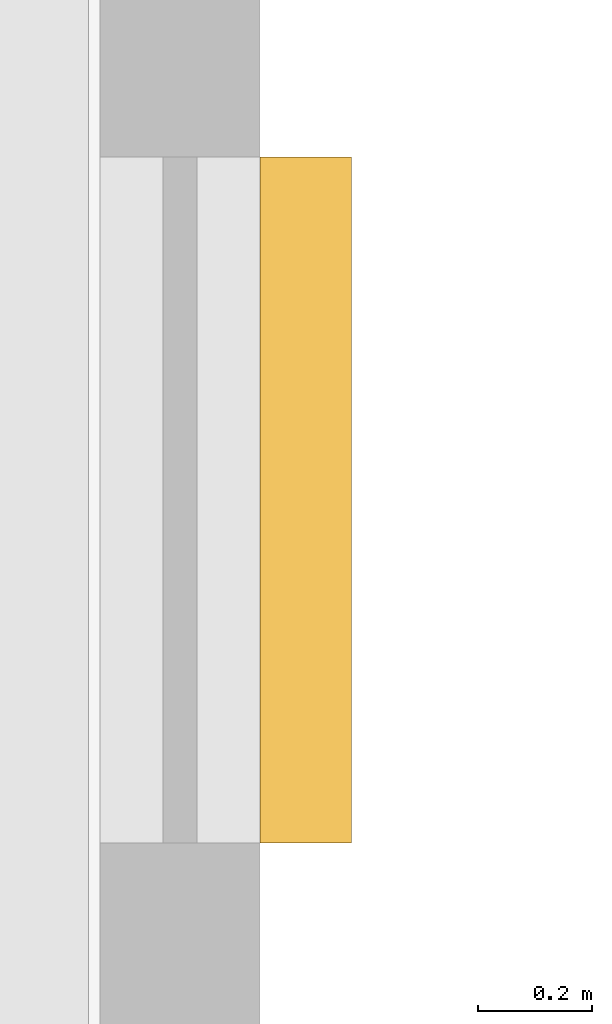
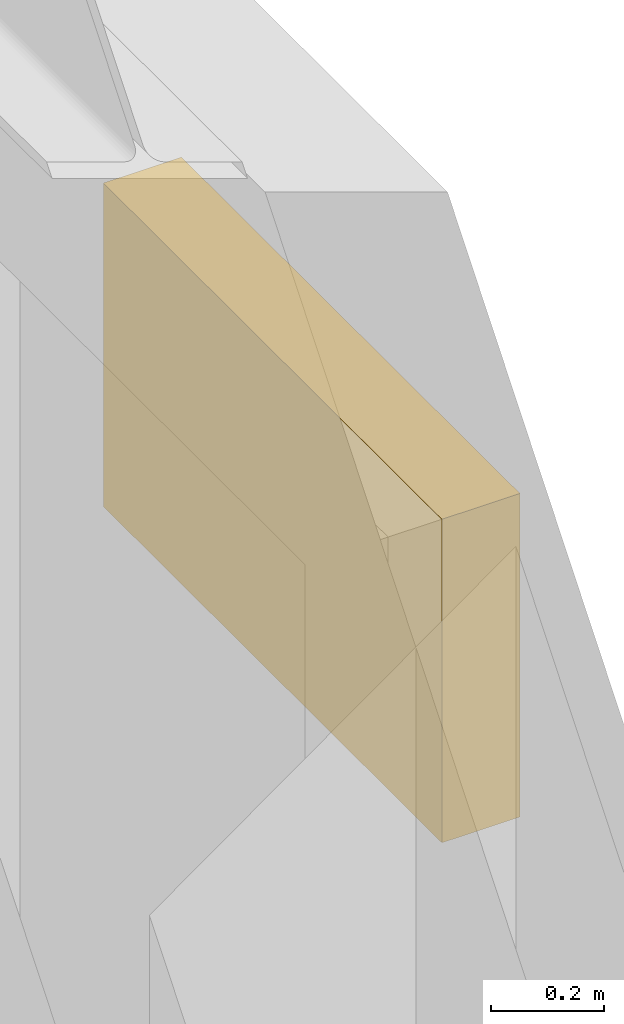
# One storey, part 7 of 7: 1 shading device.
"""IFC4 building model written with IfcOpenShell, lengths in metres."""

import ifcopenshell
import ifcopenshell.guid

model = None  # the IFC model being written
_history = None  # IfcOwnerHistory: only IFC2X3 demands one
_inside = {}  # id of a spatial element -> (the spatial element, [elements in it])
_under = {}  # id of a project, library or spatial element -> (it, [spatial elements below it])
_declared = {}  # id of a project -> (the project, [libraries it declares])
_typed = {}  # id of a type object -> (the type object, [elements of that type])
_made_of = {}  # id of a material, layer set ... -> (it, [elements and type objects made of it])


def new_model(schema):
    """Start an empty IFC model of exactly this schema.

    Asked for "IFC4X3", IfcOpenShell would pick the latest addendum, in which some entities
    have other attributes; the version numbers below select the first issue.
    IFC2X3 requires an IfcOwnerHistory on every rooted entity: one is made here for all.
    """
    global model, _history
    if schema == "IFC4X3":
        model = ifcopenshell.file(schema_version=(4, 3, 0, 0))
    else:
        model = ifcopenshell.file(schema=schema)
    _inside.clear()
    _under.clear()
    _declared.clear()
    _typed.clear()
    _made_of.clear()
    _history = None
    if model.schema == "IFC2X3":
        org = make("IfcOrganization", Name="unknown")
        user = make(
            "IfcPersonAndOrganization",
            ThePerson=make("IfcPerson", FamilyName="unknown"),
            TheOrganization=org,
        )
        app = make(
            "IfcApplication",
            ApplicationDeveloper=org,
            Version="unknown",
            ApplicationFullName="unknown",
            ApplicationIdentifier="unknown",
        )
        _history = make(
            "IfcOwnerHistory",
            OwningUser=user,
            OwningApplication=app,
            ChangeAction="ADDED",
            CreationDate=0,
        )
    return model


def make(cls, **values):
    """One entity of the class cls with the attributes given. An attribute that is None is left unset."""
    return model.create_entity(
        cls, **{name: value for name, value in values.items() if value is not None}
    )


def rooted(cls, **values):
    """An entity with a GlobalId (a new one), such as an element, a storey or a relation."""
    return make(cls, GlobalId=ifcopenshell.guid.new(), OwnerHistory=_history, **values)


def si_unit(unit_type, name, prefix=None):
    """IfcSIUnit, for example si_unit("LENGTHUNIT", "METRE", prefix="MILLI")."""
    return make("IfcSIUnit", UnitType=unit_type, Prefix=prefix, Name=name)


def assignment(units):
    """IfcUnitAssignment: the units of a project."""
    return None if units is None else make("IfcUnitAssignment", Units=units)


def point(xyz):
    """IfcCartesianPoint."""
    return None if xyz is None else make("IfcCartesianPoint", Coordinates=xyz)


def direction(xyz):
    """IfcDirection."""
    return None if xyz is None else make("IfcDirection", DirectionRatios=xyz)


def frame(location, z_axis=None, x_axis=None):
    """IfcAxis2Placement3D, a coordinate frame: its origin and axes. An axis left out is left unset."""
    return make(
        "IfcAxis2Placement3D",
        Location=point(location),
        Axis=direction(z_axis),
        RefDirection=direction(x_axis),
    )


def frame_2d(location, x_axis=None):
    """IfcAxis2Placement2D, a coordinate frame in the plane: its origin and x axis."""
    return make(
        "IfcAxis2Placement2D", Location=point(location), RefDirection=direction(x_axis)
    )


def origin():
    """The frame at (0, 0, 0) with its axes left unset."""
    return frame((0.0, 0.0, 0.0))


def origin_2d():
    """The frame at (0, 0) in the plane with its x axis left unset."""
    return frame_2d((0.0, 0.0))


def place(relative_to, where):
    """IfcLocalPlacement: puts the frame where relative to a parent placement (None: the world)."""
    return make(
        "IfcLocalPlacement", PlacementRelTo=relative_to, RelativePlacement=where
    )


def context(
    kind, dimensions, precision=None, world=None, true_north=None, identifier=None
):
    """IfcGeometricRepresentationContext, for example the 3D "Model" context."""
    return make(
        "IfcGeometricRepresentationContext",
        ContextIdentifier=identifier,
        ContextType=kind,
        CoordinateSpaceDimension=dimensions,
        Precision=precision,
        WorldCoordinateSystem=world,
        TrueNorth=true_north,
    )


def subcontext(parent, identifier, kind, view, scale=None):
    """IfcGeometricRepresentationSubContext, for example "Body" below "Model"."""
    return make(
        "IfcGeometricRepresentationSubContext",
        ContextIdentifier=identifier,
        ContextType=kind,
        ParentContext=parent,
        TargetScale=scale,
        TargetView=view,
    )


def project(units=None, contexts=None):
    """IfcProject with its units and contexts."""
    return rooted(
        "IfcProject",
        Name="project",
        RepresentationContexts=contexts,
        UnitsInContext=assignment(units),
    )


def spatial(cls, under=None, at=None, **own):
    """A site, building, storey or space (cls), placed at a placement, below another one or the project."""
    s = rooted(cls, ObjectPlacement=at, **own)
    if under is not None:
        _under.setdefault(under.id(), (under, []))[1].append(s)
    return s


def profile(cls, at=None, kind="AREA", **sizes):
    """A parametric profile (cls). Its sizes go by their IFC names, for example OverallWidth=200.0."""
    return make(cls, ProfileType=kind, Position=at, **sizes)


def rectangle(**sizes):
    """IfcRectangleProfileDef."""
    return profile("IfcRectangleProfileDef", **sizes)


def extrude(swept, where, along, depth):
    """IfcExtrudedAreaSolid: the profile swept, set in the frame where, extruded along a direction by depth."""
    return make(
        "IfcExtrudedAreaSolid",
        SweptArea=swept,
        Position=where,
        ExtrudedDirection=direction(along),
        Depth=depth,
    )


def shape(context_of_items, identifier, shape_type, items):
    """IfcShapeRepresentation: the items that make up one representation, for example the "Body"."""
    return make(
        "IfcShapeRepresentation",
        ContextOfItems=context_of_items,
        RepresentationIdentifier=identifier,
        RepresentationType=shape_type,
        Items=items,
    )


def material(Name=None, Category=None):
    """IfcMaterial."""
    return make("IfcMaterial", Name=Name, Category=Category)


def made_of(thing, what):
    """Note that an element or type object is made of a material, layer set ...; save() writes the relation."""
    if what is not None:
        _made_of.setdefault(what.id(), (what, []))[1].append(thing)
    return thing


def type_object(cls, material=None, **own):
    """A type object (cls), such as IfcWallType, which elements share."""
    return made_of(rooted(cls, **own), material)


def element(
    cls,
    number,
    at=None,
    inside=None,
    cuts=None,
    type_object=None,
    material=None,
    context=None,
    identifier="Body",
    shape_type=None,
    held_by="IfcProductDefinitionShape",
    body=None,
    shapes=None,
    **own,
):
    """One element of the class cls, such as IfcWall. Its Tag is "e" and its number.

    at: its placement. inside: the storey or other place that contains it. cuts: it is an
    opening in that element (IfcRelVoidsElement). A single representation is given by context,
    identifier, shape_type and body (its items); several are given by shapes. held_by: the class
    of the entity that holds the representations. save() writes the other relations.
    """
    e = rooted(cls, Tag="e%d" % number, ObjectPlacement=at, **own)
    if body is not None:
        shapes = [shape(context, identifier, shape_type, body)]
    if shapes is not None:
        e.Representation = make(held_by, Representations=shapes)
    if inside is not None:
        _inside.setdefault(inside.id(), (inside, []))[1].append(e)
    if cuts is not None:
        rooted(
            "IfcRelVoidsElement", RelatingBuildingElement=cuts, RelatedOpeningElement=e
        )
    if type_object is not None:
        _typed.setdefault(type_object.id(), (type_object, []))[1].append(e)
    return made_of(e, material)


def aggregate(whole, parts):
    """IfcRelAggregates: a whole, such as a stair, and the parts it consists of."""
    return rooted("IfcRelAggregates", RelatingObject=whole, RelatedObjects=parts)


def save(model, path):
    """Write the relations noted so far, then the file.

    IfcRelAggregates (storeys below a building ...), IfcRelContainedInSpatialStructure (elements
    in a storey), IfcRelDefinesByType, IfcRelAssociatesMaterial and IfcRelDeclares: one each for
    every whole, place, type object, material and project.
    """
    for whole, parts in _under.values():
        aggregate(whole, parts)
    for where, things in _inside.values():
        rooted(
            "IfcRelContainedInSpatialStructure",
            RelatedElements=things,
            RelatingStructure=where,
        )
    for kind, things in _typed.values():
        rooted("IfcRelDefinesByType", RelatedObjects=things, RelatingType=kind)
    for what, things in _made_of.values():
        rooted("IfcRelAssociatesMaterial", RelatedObjects=things, RelatingMaterial=what)
    for by, libraries in _declared.values():
        rooted("IfcRelDeclares", RelatingContext=by, RelatedDefinitions=libraries)
    model.write(path)


model = new_model("IFC4")

# Units and contexts
model_context = context("Model", 3, precision=1e-05, world=origin(), true_north=direction((0.0, 1.0)))
body_context = subcontext(model_context, "Body", "Model", "MODEL_VIEW")
ifc_project = project(units=[si_unit("LENGTHUNIT", "METRE"), si_unit("AREAUNIT", "SQUARE_METRE"), si_unit("VOLUMEUNIT", "CUBIC_METRE"), si_unit("PLANEANGLEUNIT", "RADIAN"), si_unit("MASSUNIT", "GRAM", prefix="KILO")], contexts=[model_context])

# Site, building, storey
site_placement = place(None, origin())
site = spatial("IfcSite", under=ifc_project, at=site_placement, CompositionType="ELEMENT")
building_placement = place(site_placement, origin())
building = spatial("IfcBuilding", under=site, at=building_placement, Name="Orvandelia Arch Residences", CompositionType="ELEMENT")
storey_placement = place(building_placement, frame((0.0, 0.0, 257.0)))
storey = spatial("IfcBuildingStorey", under=building, at=storey_placement, Name="L67", CompositionType="ELEMENT", Elevation=257.0)

# Shading device
ifc_material = material(Name="Anodised Champagne-Bronze Extruded Aluminium", Category="aluminium")
shading_device_type = type_object("IfcShadingDeviceType", Name="SHD-JALOUSIE-SCREEN", PredefinedType="JALOUSIE", material=ifc_material)
shading_device_placement = place(storey_placement, frame((24.080078125, 44.5673828125, 1.89990234375), z_axis=(0.0, 0.0, 1.0), x_axis=(0.0, -1.0, 0.0)))
element("IfcShadingDevice", 1, at=shading_device_placement, inside=storey, type_object=shading_device_type, Name="Bronze Jalousie Sun-Shade L67-002", PredefinedType="JALOUSIE", context=body_context, shape_type="SweptSolid", body=[
    extrude(rectangle(XDim=1.199951171875, YDim=0.159912109375, at=origin_2d()), origin(), (0.0, 0.0, 1.0), 0.699951171875),
])

save(model, "model.ifc")
